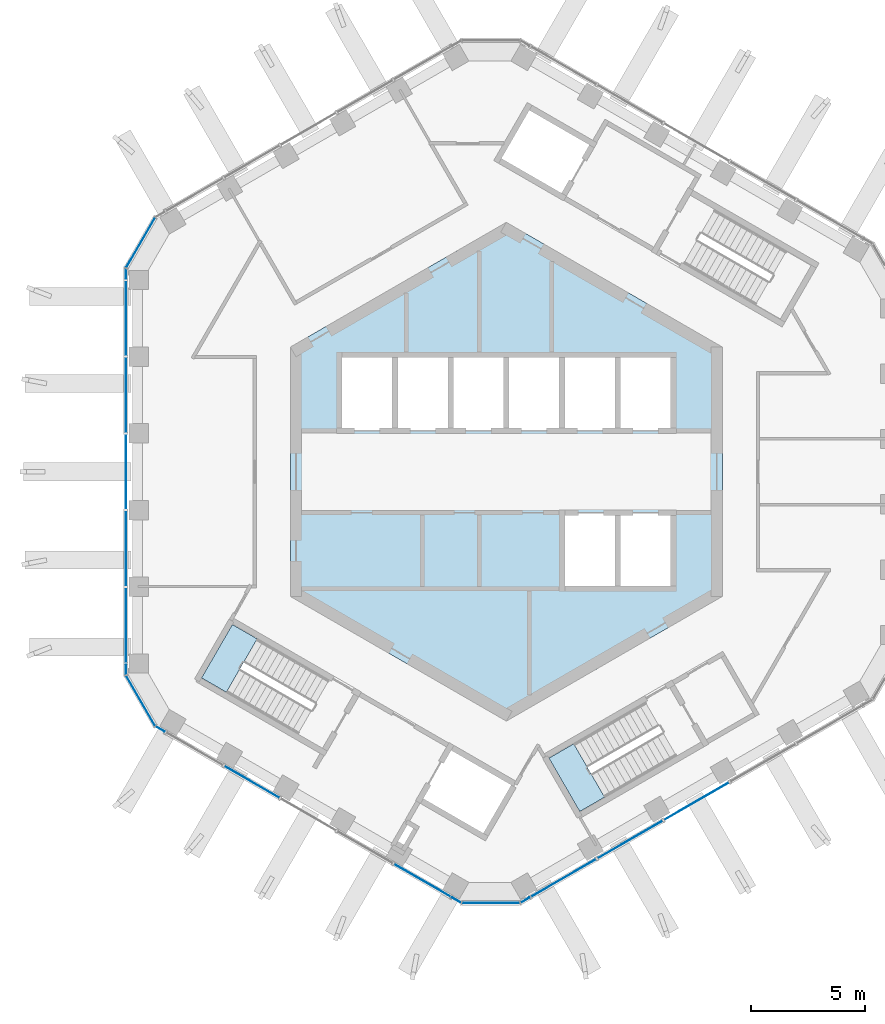
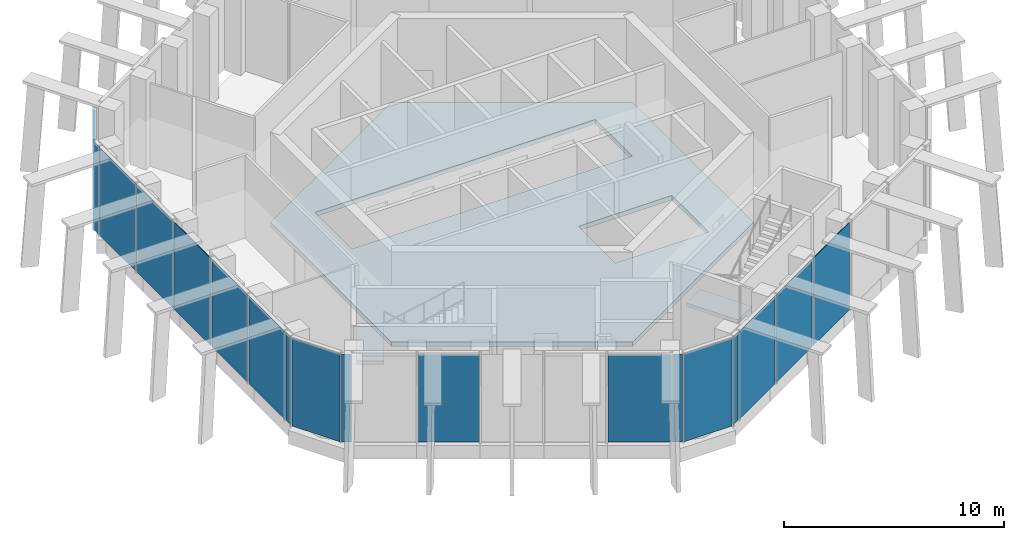
# One storey, part 7 of 17: 18 plates, 3 slabs, 8 elements without a shape of their own.
"""IFC4 building model written with IfcOpenShell, lengths in metres."""

from ifc_helpers import new_model, si_unit, direction, frame, origin, origin_2d, place, context, subcontext, project, spatial, polyline, rectangle, outline, extrude, material, layer, layer_set, type_object, element, aggregate, save


model = new_model("IFC4")

# Units and contexts
model_context = context("Model", 3, precision=1e-05, world=origin(), true_north=direction((0.0, 1.0)))
body_context = subcontext(model_context, "Body", "Model", "MODEL_VIEW")
ifc_project = project(units=[si_unit("LENGTHUNIT", "METRE"), si_unit("AREAUNIT", "SQUARE_METRE"), si_unit("VOLUMEUNIT", "CUBIC_METRE"), si_unit("PLANEANGLEUNIT", "RADIAN"), si_unit("MASSUNIT", "GRAM", prefix="KILO")], contexts=[model_context])

# Site, building, storey
site_placement = place(None, origin())
site = spatial("IfcSite", under=ifc_project, at=site_placement, CompositionType="ELEMENT")
building_placement = place(site_placement, origin())
building = spatial("IfcBuilding", under=site, at=building_placement, Name="Ayvan Gate Tower", CompositionType="ELEMENT")
storey_placement = place(building_placement, frame((0.0, 0.0, 257.89990234375)))
storey = spatial("IfcBuildingStorey", under=building, at=storey_placement, Name="L69", CompositionType="ELEMENT", Elevation=257.89990234375)

# Slab
ifc_material_1 = material(Name="Concrete C40/50", Category="concrete")
ifc_layer_1 = layer(ifc_material_1, 0.25)
ifc_layer_set_1 = layer_set([ifc_layer_1], Name="Concrete C40/50")
slab_type_1 = type_object("IfcSlabType", Name="SL-CORE-250", PredefinedType="FLOOR", material=ifc_layer_set_1)
slab_1_placement = place(storey_placement, frame((0.0, 0.0, -0.25)))
element("IfcSlab", 1, at=slab_1_placement, inside=storey, type_object=slab_type_1, Name="CS-L69", PredefinedType="FLOOR", context=body_context, shape_type="SweptSolid", body=[
    extrude(outline(polyline([(9.5, -5.48486328125), (0.0, -10.9697265625), (-9.5, -5.48486328125), (-9.5, 5.48486328125), (0.0, 10.9697265625), (9.5, 5.48486328125), (9.5, -5.48486328125)]), holes=[polyline([(-7.35009765625, 5.14990234375), (-7.35009765625, 1.800048828125), (7.35009765625, 1.800048828125), (7.35009765625, 5.14990234375), (-7.35009765625, 5.14990234375)]), polyline([(2.449951171875, -1.800048828125), (2.449951171875, -5.14990234375), (7.35009765625, -5.14990234375), (7.35009765625, -1.800048828125), (2.449951171875, -1.800048828125)])]), origin(), (0.0, 0.0, 1.0), 0.25),
])

# Stair, slab
stair_type = type_object("IfcStairType", Name="ST-EXIT", PredefinedType="HALF_TURN_STAIR", material=ifc_material_1)
stair_1_placement = place(storey_placement, origin())
stair_1 = element("IfcStair", 2, at=stair_1_placement, inside=storey, type_object=stair_type, Name="L69 Exit Stair S2", PredefinedType="HALF_TURN_STAIR")
ifc_layer_2 = layer(ifc_material_1, 0.199951171875)
ifc_layer_set_2 = layer_set([ifc_layer_2], Name="Concrete C40/50")
slab_type_2 = type_object("IfcSlabType", Name="SL-LANDING-200", PredefinedType="LANDING", material=ifc_layer_set_2)
slab_2_placement = place(storey_placement, frame((0.0, 0.0, 2.300048828125)))
slab_2 = element("IfcSlab", 3, at=slab_2_placement, type_object=slab_type_2, Name="STS2 landing 1", PredefinedType="LANDING", context=body_context, shape_type="SweptSolid", body=[
    extrude(outline(polyline([(-10.95849609375, -7.3505859375), (-12.049560546875, -6.720458984375), (-13.404541015625, -9.0673828125), (-12.3134765625, -9.697509765625), (-10.95849609375, -7.3505859375)])), origin(), (0.0, 0.0, 1.0), 0.199951171875),
])
aggregate(stair_1, [slab_2])

stair_2_placement = place(storey_placement, origin())
stair_2 = element("IfcStair", 4, at=stair_2_placement, inside=storey, type_object=stair_type, Name="L69 Exit Stair S3", PredefinedType="HALF_TURN_STAIR")
slab_3_placement = place(storey_placement, frame((0.0, 0.0, 2.300048828125)))
slab_3 = element("IfcSlab", 5, at=slab_3_placement, type_object=slab_type_2, Name="STS3 landing 1", PredefinedType="LANDING", context=body_context, shape_type="SweptSolid", body=[
    extrude(outline(polyline([(2.965087890625, -11.965576171875), (1.873779296875, -12.595458984375), (3.228759765625, -14.9423828125), (4.320068359375, -14.3125), (2.965087890625, -11.965576171875)])), origin(), (0.0, 0.0, 1.0), 0.199951171875),
])
aggregate(stair_2, [slab_3])

# Curtain wall, plates
ifc_material_2 = material(Name="Bronze anodised aluminium", Category="aluminium")
ifc_layer_3 = layer(ifc_material_2, 0.199951171875)
ifc_layer_set_3 = layer_set([ifc_layer_3], Name="Bronze anodised aluminium")
curtain_wall_type_1 = type_object("IfcCurtainWallType", Name="Stick curtain wall CW-5", PredefinedType="NOTDEFINED", material=ifc_layer_set_3)
curtain_wall_1_placement = place(storey_placement, origin())
curtain_wall_1 = element("IfcCurtainWall", 6, at=curtain_wall_1_placement, inside=storey, type_object=curtain_wall_type_1, Name="Stick curtain wall CW-5 L69", PredefinedType="NOTDEFINED")
ifc_material_3 = material(Name="Clear low-iron laminated glass", Category="glass")
ifc_layer_4 = layer(ifc_material_3, 0.028076171875)
ifc_layer_set_4 = layer_set([ifc_layer_4], Name="Clear low-iron laminated glass")
plate_type_1 = type_object("IfcPlateType", Name="Stick curtain wall CW-5 glass panel", PredefinedType="CURTAIN_PANEL", material=ifc_layer_set_4)
plate_1_placement = place(storey_placement, frame((-16.731689453125, 6.77099609375, 0.0), z_axis=(0.0, 0.0, 1.0), x_axis=(0.0, -1.0, 0.0)))
plate_1 = element("IfcPlate", 7, at=plate_1_placement, type_object=plate_type_1, Name="CW-5 glass panel 1", PredefinedType="CURTAIN_PANEL", context=body_context, shape_type="SweptSolid", body=[
    extrude(rectangle(XDim=3.327880859375, YDim=0.028076171875, at=origin_2d()), origin(), (0.0, 0.0, 1.0), 4.85009765625),
])
plate_2_placement = place(storey_placement, frame((-16.731689453125, 3.37451171875, 0.0), z_axis=(0.0, 0.0, 1.0), x_axis=(0.0, -1.0, 0.0)))
plate_2 = element("IfcPlate", 8, at=plate_2_placement, type_object=plate_type_1, Name="CW-5 glass panel 2", PredefinedType="CURTAIN_PANEL", context=body_context, shape_type="SweptSolid", body=[
    extrude(rectangle(XDim=3.284912109375, YDim=0.028076171875, at=origin_2d()), origin(), (0.0, 0.0, 1.0), 4.85009765625),
])
plate_3_placement = place(storey_placement, frame((-16.731689453125, 0.0, 0.0), z_axis=(0.0, 0.0, 1.0), x_axis=(0.0, -1.0, 0.0)))
plate_3 = element("IfcPlate", 9, at=plate_3_placement, type_object=plate_type_1, Name="CW-5 glass panel 3", PredefinedType="CURTAIN_PANEL", context=body_context, shape_type="SweptSolid", body=[
    extrude(rectangle(XDim=3.283935546875, YDim=0.028076171875, at=origin_2d()), origin(), (0.0, 0.0, 1.0), 4.85009765625),
])
plate_4_placement = place(storey_placement, frame((-16.731689453125, -3.37451171875, 0.0), z_axis=(0.0, 0.0, 1.0), x_axis=(0.0, -1.0, 0.0)))
plate_4 = element("IfcPlate", 10, at=plate_4_placement, type_object=plate_type_1, Name="CW-5 glass panel 4", PredefinedType="CURTAIN_PANEL", context=body_context, shape_type="SweptSolid", body=[
    extrude(rectangle(XDim=3.284912109375, YDim=0.028076171875, at=origin_2d()), origin(), (0.0, 0.0, 1.0), 4.85009765625),
])
plate_5_placement = place(storey_placement, frame((-16.731689453125, -6.77099609375, 0.0), z_axis=(0.0, 0.0, 1.0), x_axis=(0.0, -1.0, 0.0)))
plate_5 = element("IfcPlate", 11, at=plate_5_placement, type_object=plate_type_1, Name="CW-5 glass panel 5", PredefinedType="CURTAIN_PANEL", context=body_context, shape_type="SweptSolid", body=[
    extrude(rectangle(XDim=3.328125, YDim=0.028076171875, at=origin_2d()), origin(), (0.0, 0.0, 1.0), 4.85009765625),
])
aggregate(curtain_wall_1, [plate_1, plate_2, plate_3, plate_4, plate_5])

curtain_wall_2_placement = place(storey_placement, origin())
curtain_wall_2 = element("IfcCurtainWall", 12, at=curtain_wall_2_placement, inside=storey, type_object=curtain_wall_type_1, Name="Stick curtain wall CW-5 L69", PredefinedType="NOTDEFINED")
plate_6_placement = place(storey_placement, frame((-11.19384765625, -13.643310546875, 0.0), z_axis=(0.0, 0.0, 1.0), x_axis=(0.866025403784, -0.5, 0.0)))
plate_6 = element("IfcPlate", 13, at=plate_6_placement, type_object=plate_type_1, Name="CW-5 glass panel 2", PredefinedType="CURTAIN_PANEL", context=body_context, shape_type="SweptSolid", body=[
    extrude(rectangle(XDim=2.782958984375, YDim=0.028076171875, at=origin_2d()), origin(), (0.0, 0.0, 1.0), 4.85009765625),
])
plate_7_placement = place(storey_placement, frame((-3.678955078125, -17.982177734375, 0.0), z_axis=(0.0, 0.0, 1.0), x_axis=(0.866025403784, -0.5, 0.0)))
plate_7 = element("IfcPlate", 14, at=plate_7_placement, type_object=plate_type_1, Name="CW-5 glass panel 5", PredefinedType="CURTAIN_PANEL", context=body_context, shape_type="SweptSolid", body=[
    extrude(rectangle(XDim=2.902099609375, YDim=0.028076171875, at=origin_2d()), origin(), (0.0, 0.0, 1.0), 4.85009765625),
])
aggregate(curtain_wall_2, [plate_6, plate_7])

curtain_wall_3_placement = place(storey_placement, origin())
curtain_wall_3 = element("IfcCurtainWall", 15, at=curtain_wall_3_placement, inside=storey, type_object=curtain_wall_type_1, Name="Stick curtain wall CW-5 L69", PredefinedType="NOTDEFINED")
plate_8_placement = place(storey_placement, frame((2.501953125, -17.875732421875, 0.0), z_axis=(0.0, 0.0, 1.0), x_axis=(0.866025403784, 0.5, 0.0)))
plate_8 = element("IfcPlate", 16, at=plate_8_placement, type_object=plate_type_1, Name="CW-5 glass panel 1", PredefinedType="CURTAIN_PANEL", context=body_context, shape_type="SweptSolid", body=[
    extrude(rectangle(XDim=3.327880859375, YDim=0.028076171875, at=origin_2d()), origin(), (0.0, 0.0, 1.0), 4.85009765625),
])
plate_9_placement = place(storey_placement, frame((5.443359375, -16.177490234375, 0.0), z_axis=(0.0, 0.0, 1.0), x_axis=(0.866025403784, 0.5, 0.0)))
plate_9 = element("IfcPlate", 17, at=plate_9_placement, type_object=plate_type_1, Name="CW-5 glass panel 2", PredefinedType="CURTAIN_PANEL", context=body_context, shape_type="SweptSolid", body=[
    extrude(rectangle(XDim=3.284912109375, YDim=0.028076171875, at=origin_2d()), origin(), (0.0, 0.0, 1.0), 4.85009765625),
])
plate_10_placement = place(storey_placement, frame((8.36572265625, -14.490234375, 0.0), z_axis=(0.0, 0.0, 1.0), x_axis=(0.866025403784, 0.5, 0.0)))
plate_10 = element("IfcPlate", 18, at=plate_10_placement, type_object=plate_type_1, Name="CW-5 glass panel 3", PredefinedType="CURTAIN_PANEL", context=body_context, shape_type="SweptSolid", body=[
    extrude(rectangle(XDim=3.283935546875, YDim=0.028076171875, at=origin_2d()), origin(), (0.0, 0.0, 1.0), 4.85009765625),
])
aggregate(curtain_wall_3, [plate_8, plate_9, plate_10])

ifc_layer_5 = layer(ifc_material_2, 0.199951171875)
ifc_layer_set_5 = layer_set([ifc_layer_5], Name="Bronze anodised aluminium")
curtain_wall_type_2 = type_object("IfcCurtainWallType", Name="Stick curtain wall CW-6", PredefinedType="NOTDEFINED", material=ifc_layer_set_5)
curtain_wall_4_placement = place(storey_placement, origin())
curtain_wall_4 = element("IfcCurtainWall", 19, at=curtain_wall_4_placement, inside=storey, type_object=curtain_wall_type_2, Name="Stick curtain wall CW-6 L69", PredefinedType="NOTDEFINED")
ifc_layer_6 = layer(ifc_material_3, 0.028076171875)
ifc_layer_set_6 = layer_set([ifc_layer_6], Name="Clear low-iron laminated glass")
plate_type_2 = type_object("IfcPlateType", Name="Stick curtain wall CW-6 glass panel", PredefinedType="CURTAIN_PANEL", material=ifc_layer_set_6)
plate_11_placement = place(storey_placement, frame((-16.086181640625, 10.073486328125, 0.000244140625), z_axis=(0.0, 0.0, 1.0), x_axis=(-0.5, -0.866025403784, 0.0)))
plate_11 = element("IfcPlate", 20, at=plate_11_placement, type_object=plate_type_2, Name="CW-6 glass panel 2", PredefinedType="CURTAIN_PANEL", context=body_context, shape_type="SweptSolid", body=[
    extrude(rectangle(XDim=2.532470703125, YDim=0.028076171875, at=origin_2d()), origin(), (0.0, 0.0, 1.0), 4.8798828125),
])
plate_12_placement = place(storey_placement, frame((-16.731689453125, 8.705078125, 0.000244140625), z_axis=(0.0, 0.0, 1.0), x_axis=(0.0, -1.0, 0.0)))
plate_12 = element("IfcPlate", 21, at=plate_12_placement, type_object=plate_type_2, Name="CW-6 glass panel 3", PredefinedType="CURTAIN_PANEL", context=body_context, shape_type="SweptSolid", body=[
    extrude(rectangle(XDim=0.449951171875, YDim=0.028076171875, at=origin_2d()), origin(), (0.0, 0.0, 1.0), 4.8798828125),
])
aggregate(curtain_wall_4, [plate_11, plate_12])

curtain_wall_5_placement = place(storey_placement, origin())
curtain_wall_5 = element("IfcCurtainWall", 22, at=curtain_wall_5_placement, inside=storey, type_object=curtain_wall_type_2, Name="Stick curtain wall CW-6 L69", PredefinedType="NOTDEFINED")
plate_13_placement = place(storey_placement, frame((-16.731689453125, -8.705078125, 0.000244140625), z_axis=(0.0, 0.0, 1.0), x_axis=(0.0, -1.0, 0.0)))
plate_13 = element("IfcPlate", 23, at=plate_13_placement, type_object=plate_type_2, Name="CW-6 glass panel 1", PredefinedType="CURTAIN_PANEL", context=body_context, shape_type="SweptSolid", body=[
    extrude(rectangle(XDim=0.449951171875, YDim=0.028076171875, at=origin_2d()), origin(), (0.0, 0.0, 1.0), 4.8798828125),
])
plate_14_placement = place(storey_placement, frame((-16.086181640625, -10.073486328125, 0.000244140625), z_axis=(0.0, 0.0, 1.0), x_axis=(0.5, -0.866025403784, 0.0)))
plate_14 = element("IfcPlate", 24, at=plate_14_placement, type_object=plate_type_2, Name="CW-6 glass panel 2", PredefinedType="CURTAIN_PANEL", context=body_context, shape_type="SweptSolid", body=[
    extrude(rectangle(XDim=2.532470703125, YDim=0.028076171875, at=origin_2d()), origin(), (0.0, 0.0, 1.0), 4.8798828125),
])
plate_15_placement = place(storey_placement, frame((-15.223876953125, -11.316650390625, 0.000244140625), z_axis=(0.0, 0.0, 1.0), x_axis=(0.866025403784, -0.5, 0.0)))
plate_15 = element("IfcPlate", 25, at=plate_15_placement, type_object=plate_type_2, Name="CW-6 glass panel 3", PredefinedType="CURTAIN_PANEL", context=body_context, shape_type="SweptSolid", body=[
    extrude(rectangle(XDim=0.449951171875, YDim=0.028076171875, at=origin_2d()), origin(), (0.0, 0.0, 1.0), 4.8798828125),
])
aggregate(curtain_wall_5, [plate_13, plate_14, plate_15])

curtain_wall_6_placement = place(storey_placement, origin())
curtain_wall_6 = element("IfcCurtainWall", 26, at=curtain_wall_6_placement, inside=storey, type_object=curtain_wall_type_2, Name="Stick curtain wall CW-6 L69", PredefinedType="NOTDEFINED")
plate_16_placement = place(storey_placement, frame((-2.1884765625, -18.8427734375, 0.000244140625), z_axis=(0.0, 0.0, 1.0), x_axis=(0.866025403784, -0.5, 0.0)))
plate_16 = element("IfcPlate", 27, at=plate_16_placement, type_object=plate_type_2, Name="CW-6 glass panel 1", PredefinedType="CURTAIN_PANEL", context=body_context, shape_type="SweptSolid", body=[
    extrude(rectangle(XDim=0.449951171875, YDim=0.028076171875, at=origin_2d()), origin(), (0.0, 0.0, 1.0), 4.8798828125),
])
plate_17_placement = place(storey_placement, frame((-0.6806640625, -18.9677734375, 0.000244140625), z_axis=(0.0, 0.0, 1.0), x_axis=(1.0, 0.0, 0.0)))
plate_17 = element("IfcPlate", 28, at=plate_17_placement, type_object=plate_type_2, Name="CW-6 glass panel 2", PredefinedType="CURTAIN_PANEL", context=body_context, shape_type="SweptSolid", body=[
    extrude(rectangle(XDim=2.532470703125, YDim=0.028076171875, at=origin_2d()), origin(), (0.0, 0.0, 1.0), 4.8798828125),
])
plate_18_placement = place(storey_placement, frame((0.8271484375, -18.8427734375, 0.000244140625), z_axis=(0.0, 0.0, 1.0), x_axis=(0.866025403784, 0.5, 0.0)))
plate_18 = element("IfcPlate", 29, at=plate_18_placement, type_object=plate_type_2, Name="CW-6 glass panel 3", PredefinedType="CURTAIN_PANEL", context=body_context, shape_type="SweptSolid", body=[
    extrude(rectangle(XDim=0.449951171875, YDim=0.028076171875, at=origin_2d()), origin(), (0.0, 0.0, 1.0), 4.8798828125),
])
aggregate(curtain_wall_6, [plate_16, plate_17, plate_18])

save(model, "model.ifc")
